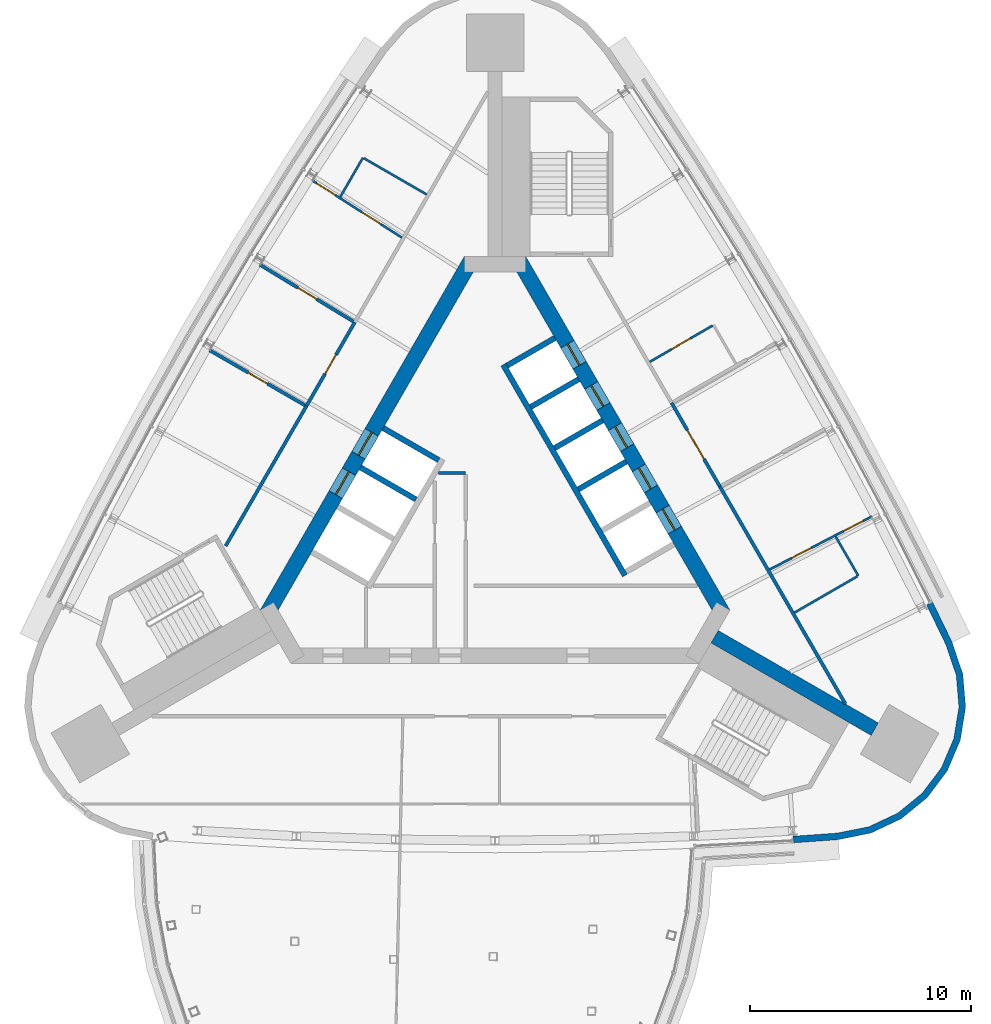
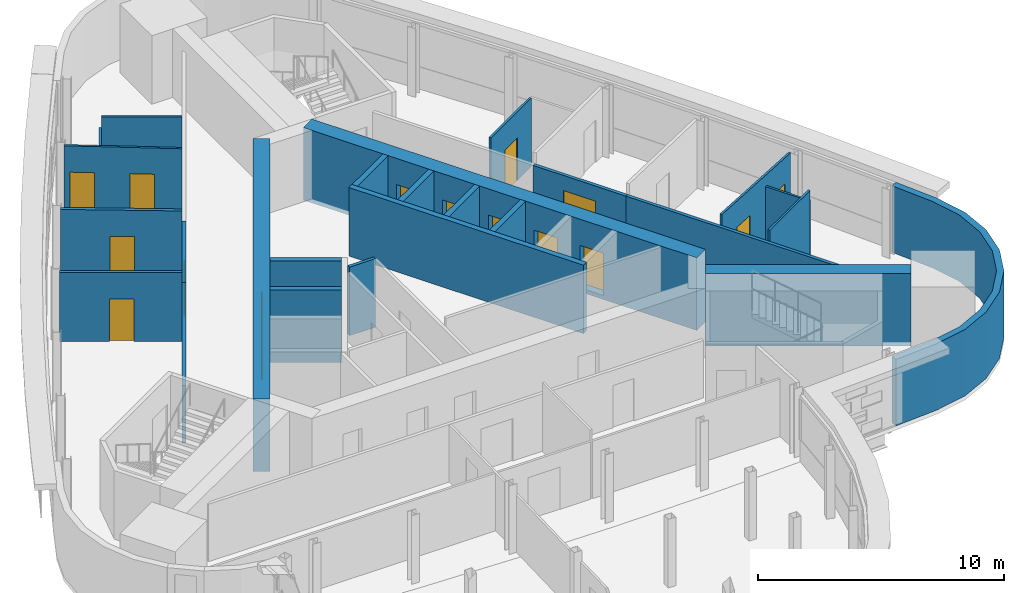
# One storey, part 10 of 14: 25 walls, 16 doors, 16 openings.
"""IFC4 building model written with IfcOpenShell, lengths in metres."""

import ifcopenshell
import ifcopenshell.guid

model = None  # the IFC model being written
_history = None  # IfcOwnerHistory: only IFC2X3 demands one
_inside = {}  # id of a spatial element -> (the spatial element, [elements in it])
_under = {}  # id of a project, library or spatial element -> (it, [spatial elements below it])
_declared = {}  # id of a project -> (the project, [libraries it declares])
_typed = {}  # id of a type object -> (the type object, [elements of that type])
_made_of = {}  # id of a material, layer set ... -> (it, [elements and type objects made of it])


def new_model(schema):
    """Start an empty IFC model of exactly this schema.

    Asked for "IFC4X3", IfcOpenShell would pick the latest addendum, in which some entities
    have other attributes; the version numbers below select the first issue.
    IFC2X3 requires an IfcOwnerHistory on every rooted entity: one is made here for all.
    """
    global model, _history
    if schema == "IFC4X3":
        model = ifcopenshell.file(schema_version=(4, 3, 0, 0))
    else:
        model = ifcopenshell.file(schema=schema)
    _inside.clear()
    _under.clear()
    _declared.clear()
    _typed.clear()
    _made_of.clear()
    _history = None
    if model.schema == "IFC2X3":
        org = make("IfcOrganization", Name="unknown")
        user = make(
            "IfcPersonAndOrganization",
            ThePerson=make("IfcPerson", FamilyName="unknown"),
            TheOrganization=org,
        )
        app = make(
            "IfcApplication",
            ApplicationDeveloper=org,
            Version="unknown",
            ApplicationFullName="unknown",
            ApplicationIdentifier="unknown",
        )
        _history = make(
            "IfcOwnerHistory",
            OwningUser=user,
            OwningApplication=app,
            ChangeAction="ADDED",
            CreationDate=0,
        )
    return model


def make(cls, **values):
    """One entity of the class cls with the attributes given. An attribute that is None is left unset."""
    return model.create_entity(
        cls, **{name: value for name, value in values.items() if value is not None}
    )


def rooted(cls, **values):
    """An entity with a GlobalId (a new one), such as an element, a storey or a relation."""
    return make(cls, GlobalId=ifcopenshell.guid.new(), OwnerHistory=_history, **values)


def si_unit(unit_type, name, prefix=None):
    """IfcSIUnit, for example si_unit("LENGTHUNIT", "METRE", prefix="MILLI")."""
    return make("IfcSIUnit", UnitType=unit_type, Prefix=prefix, Name=name)


def assignment(units):
    """IfcUnitAssignment: the units of a project."""
    return None if units is None else make("IfcUnitAssignment", Units=units)


def point(xyz):
    """IfcCartesianPoint."""
    return None if xyz is None else make("IfcCartesianPoint", Coordinates=xyz)


def direction(xyz):
    """IfcDirection."""
    return None if xyz is None else make("IfcDirection", DirectionRatios=xyz)


def frame(location, z_axis=None, x_axis=None):
    """IfcAxis2Placement3D, a coordinate frame: its origin and axes. An axis left out is left unset."""
    return make(
        "IfcAxis2Placement3D",
        Location=point(location),
        Axis=direction(z_axis),
        RefDirection=direction(x_axis),
    )


def frame_2d(location, x_axis=None):
    """IfcAxis2Placement2D, a coordinate frame in the plane: its origin and x axis."""
    return make(
        "IfcAxis2Placement2D", Location=point(location), RefDirection=direction(x_axis)
    )


def origin():
    """The frame at (0, 0, 0) with its axes left unset."""
    return frame((0.0, 0.0, 0.0))


def place(relative_to, where):
    """IfcLocalPlacement: puts the frame where relative to a parent placement (None: the world)."""
    return make(
        "IfcLocalPlacement", PlacementRelTo=relative_to, RelativePlacement=where
    )


def context(
    kind, dimensions, precision=None, world=None, true_north=None, identifier=None
):
    """IfcGeometricRepresentationContext, for example the 3D "Model" context."""
    return make(
        "IfcGeometricRepresentationContext",
        ContextIdentifier=identifier,
        ContextType=kind,
        CoordinateSpaceDimension=dimensions,
        Precision=precision,
        WorldCoordinateSystem=world,
        TrueNorth=true_north,
    )


def subcontext(parent, identifier, kind, view, scale=None):
    """IfcGeometricRepresentationSubContext, for example "Body" below "Model"."""
    return make(
        "IfcGeometricRepresentationSubContext",
        ContextIdentifier=identifier,
        ContextType=kind,
        ParentContext=parent,
        TargetScale=scale,
        TargetView=view,
    )


def project(units=None, contexts=None):
    """IfcProject with its units and contexts."""
    return rooted(
        "IfcProject",
        Name="project",
        RepresentationContexts=contexts,
        UnitsInContext=assignment(units),
    )


def spatial(cls, under=None, at=None, **own):
    """A site, building, storey or space (cls), placed at a placement, below another one or the project."""
    s = rooted(cls, ObjectPlacement=at, **own)
    if under is not None:
        _under.setdefault(under.id(), (under, []))[1].append(s)
    return s


def polyline(points):
    """IfcPolyline through the points."""
    return make("IfcPolyline", Points=[point(p) for p in points])


def profile(cls, at=None, kind="AREA", **sizes):
    """A parametric profile (cls). Its sizes go by their IFC names, for example OverallWidth=200.0."""
    return make(cls, ProfileType=kind, Position=at, **sizes)


def rectangle(**sizes):
    """IfcRectangleProfileDef."""
    return profile("IfcRectangleProfileDef", **sizes)


def outline(outer, holes=None, kind="AREA"):
    """IfcArbitraryClosedProfileDef: a profile drawn as a closed curve; with holes, ...WithVoids."""
    if holes is None:
        return make("IfcArbitraryClosedProfileDef", ProfileType=kind, OuterCurve=outer)
    return make(
        "IfcArbitraryProfileDefWithVoids",
        ProfileType=kind,
        OuterCurve=outer,
        InnerCurves=holes,
    )


def extrude(swept, where, along, depth):
    """IfcExtrudedAreaSolid: the profile swept, set in the frame where, extruded along a direction by depth."""
    return make(
        "IfcExtrudedAreaSolid",
        SweptArea=swept,
        Position=where,
        ExtrudedDirection=direction(along),
        Depth=depth,
    )


def shape(context_of_items, identifier, shape_type, items):
    """IfcShapeRepresentation: the items that make up one representation, for example the "Body"."""
    return make(
        "IfcShapeRepresentation",
        ContextOfItems=context_of_items,
        RepresentationIdentifier=identifier,
        RepresentationType=shape_type,
        Items=items,
    )


def material(Name=None, Category=None):
    """IfcMaterial."""
    return make("IfcMaterial", Name=Name, Category=Category)


def layer(
    of_material, thickness, ventilated=None, Name=None, Category=None, Priority=None
):
    """IfcMaterialLayer: one layer of a wall or slab, of a material (None: an air gap)."""
    return make(
        "IfcMaterialLayer",
        Material=of_material,
        LayerThickness=thickness,
        IsVentilated=ventilated,
        Name=Name,
        Category=Category,
        Priority=Priority,
    )


def layer_set(layers, Name=None):
    """IfcMaterialLayerSet."""
    return make("IfcMaterialLayerSet", MaterialLayers=layers, LayerSetName=Name)


def made_of(thing, what):
    """Note that an element or type object is made of a material, layer set ...; save() writes the relation."""
    if what is not None:
        _made_of.setdefault(what.id(), (what, []))[1].append(thing)
    return thing


def type_object(cls, material=None, **own):
    """A type object (cls), such as IfcWallType, which elements share."""
    return made_of(rooted(cls, **own), material)


def element(
    cls,
    number,
    at=None,
    inside=None,
    cuts=None,
    type_object=None,
    material=None,
    context=None,
    identifier="Body",
    shape_type=None,
    held_by="IfcProductDefinitionShape",
    body=None,
    shapes=None,
    **own,
):
    """One element of the class cls, such as IfcWall. Its Tag is "e" and its number.

    at: its placement. inside: the storey or other place that contains it. cuts: it is an
    opening in that element (IfcRelVoidsElement). A single representation is given by context,
    identifier, shape_type and body (its items); several are given by shapes. held_by: the class
    of the entity that holds the representations. save() writes the other relations.
    """
    e = rooted(cls, Tag="e%d" % number, ObjectPlacement=at, **own)
    if body is not None:
        shapes = [shape(context, identifier, shape_type, body)]
    if shapes is not None:
        e.Representation = make(held_by, Representations=shapes)
    if inside is not None:
        _inside.setdefault(inside.id(), (inside, []))[1].append(e)
    if cuts is not None:
        rooted(
            "IfcRelVoidsElement", RelatingBuildingElement=cuts, RelatedOpeningElement=e
        )
    if type_object is not None:
        _typed.setdefault(type_object.id(), (type_object, []))[1].append(e)
    return made_of(e, material)


def fill(opening, filler):
    """IfcRelFillsElement: the door or window that sits in an opening."""
    return rooted(
        "IfcRelFillsElement",
        RelatingOpeningElement=opening,
        RelatedBuildingElement=filler,
    )


def aggregate(whole, parts):
    """IfcRelAggregates: a whole, such as a stair, and the parts it consists of."""
    return rooted("IfcRelAggregates", RelatingObject=whole, RelatedObjects=parts)


def save(model, path):
    """Write the relations noted so far, then the file.

    IfcRelAggregates (storeys below a building ...), IfcRelContainedInSpatialStructure (elements
    in a storey), IfcRelDefinesByType, IfcRelAssociatesMaterial and IfcRelDeclares: one each for
    every whole, place, type object, material and project.
    """
    for whole, parts in _under.values():
        aggregate(whole, parts)
    for where, things in _inside.values():
        rooted(
            "IfcRelContainedInSpatialStructure",
            RelatedElements=things,
            RelatingStructure=where,
        )
    for kind, things in _typed.values():
        rooted("IfcRelDefinesByType", RelatedObjects=things, RelatingType=kind)
    for what, things in _made_of.values():
        rooted("IfcRelAssociatesMaterial", RelatedObjects=things, RelatingMaterial=what)
    for by, libraries in _declared.values():
        rooted("IfcRelDeclares", RelatingContext=by, RelatedDefinitions=libraries)
    model.write(path)


model = new_model("IFC4")

# Units and contexts
model_context = context("Model", 3, precision=1e-05, world=origin(), true_north=direction((0.0, 1.0)))
body_context = subcontext(model_context, "Body", "Model", "MODEL_VIEW")
ifc_project = project(units=[si_unit("LENGTHUNIT", "METRE"), si_unit("AREAUNIT", "SQUARE_METRE"), si_unit("VOLUMEUNIT", "CUBIC_METRE"), si_unit("PLANEANGLEUNIT", "RADIAN"), si_unit("MASSUNIT", "GRAM", prefix="KILO")], contexts=[model_context])

# Site, building, storey
site_placement = place(None, origin())
site = spatial("IfcSite", under=ifc_project, at=site_placement, CompositionType="ELEMENT")
building_placement = place(site_placement, origin())
building = spatial("IfcBuilding", under=site, at=building_placement, Name="Noor Cloister Tower", CompositionType="ELEMENT")
storey_placement = place(building_placement, frame((0.0, 0.0, 214.800048828125)))
storey = spatial("IfcBuildingStorey", under=building, at=storey_placement, Name="L55", CompositionType="ELEMENT", Elevation=214.800048828125)

# Walls
ifc_material_1 = material(Name="Concrete C60/75", Category="concrete")
ifc_layer_1 = layer(ifc_material_1, 0.64990234375)
ifc_layer_set_1 = layer_set([ifc_layer_1], Name="Buttress wall 650 C60/75")
wall_type_1 = type_object("IfcWallType", Name="Buttress wall 650 C60/75", PredefinedType="SHEAR", material=ifc_layer_set_1)
wall_1_placement = place(storey_placement, frame((9.921630859375, -5.728271484375, -0.199951171875), z_axis=(0.0, 0.0, 1.0), x_axis=(0.866030911543, -0.499990460161, 0.0)))
element("IfcWall", 1, at=wall_1_placement, inside=storey, type_object=wall_type_1, Name="Buttress wall SE L55", PredefinedType="SHEAR", context=body_context, shape_type="SweptSolid", body=[
    extrude(rectangle(XDim=8.358642578125, YDim=0.64990234375, at=frame_2d((4.17919921875, 0.0))), origin(), (0.0, 0.0, 1.0), 3.599853515625),
])
ifc_material_2 = material(Name="Concrete C30/37", Category="concrete")
ifc_layer_2 = layer(ifc_material_2, 0.14990234375)
ifc_layer_set_2 = layer_set([ifc_layer_2], Name="Core partition 150 C30/37")
wall_type_2 = type_object("IfcWallType", Name="Core partition 150 C30/37", PredefinedType="PARTITIONING", material=ifc_layer_set_2)
wall_2_placement = place(storey_placement, frame((-2.544189453125, 1.671875, 0.0), z_axis=(0.0, 0.0, 1.0), x_axis=(1.0, 0.0, 0.0)))
element("IfcWall", 2, at=wall_2_placement, inside=storey, type_object=wall_type_2, Name="Core room partition L55 4", PredefinedType="PARTITIONING", context=body_context, shape_type="SweptSolid", body=[
    extrude(rectangle(XDim=1.215576171875, YDim=0.14990234375, at=frame_2d((0.60791015625, 0.0))), origin(), (0.0, 0.0, 1.0), 3.39990234375),
])

# Wall, openings, doors
ifc_material_3 = material(Name="Concrete C60/75", Category="concrete")
ifc_layer_3 = layer(ifc_material_3, 0.699951171875)
ifc_layer_set_3 = layer_set([ifc_layer_3], Name="Core wall 700 C60/75")
wall_type_3 = type_object("IfcWallType", Name="Core wall 700 C60/75", PredefinedType="SHEAR", material=ifc_layer_set_3)
wall_3_placement = place(storey_placement, frame((10.311279296875, -4.703125, -0.199951171875), z_axis=(0.0, 0.0, 1.0), x_axis=(-0.500001446645, 0.866024568562, 0.0)))
wall_3 = element("IfcWall", 3, at=wall_3_placement, inside=storey, type_object=wall_type_3, Name="Core wall L55 3", PredefinedType="SHEAR", context=body_context, shape_type="SweptSolid", body=[
    extrude(rectangle(XDim=18.45751953125, YDim=0.699951171875, at=frame_2d((9.228759765625, 0.0))), origin(), (0.0, 0.0, 1.0), 3.599853515625),
])
opening_1_placement = place(wall_3_placement, frame((4.378662109375, 0.0, 0.199951171875)))
opening_1 = element("IfcOpeningElement", 4, at=opening_1_placement, cuts=wall_3, Name="Opening L55-HR1", PredefinedType="OPENING", context=body_context, shape_type="SweptSolid", body=[
    extrude(rectangle(XDim=1.10009765625, YDim=2.10009765625, at=frame_2d((0.550048828125, 1.050048828125))), frame((0.0, 0.35986328125, 0.0), z_axis=(0.0, -1.0, 0.0), x_axis=(1.0, 0.0, 0.0)), (0.0, 0.0, 1.0), 0.719970703125),
])
opening_2_placement = place(wall_3_placement, frame((6.52880859375, 0.0, 0.199951171875)))
opening_2 = element("IfcOpeningElement", 5, at=opening_2_placement, cuts=wall_3, Name="Opening L55-HR2", PredefinedType="OPENING", context=body_context, shape_type="SweptSolid", body=[
    extrude(rectangle(XDim=1.10009765625, YDim=2.10009765625, at=frame_2d((0.550048828125, 1.050048828125))), frame((0.0, 0.35986328125, 0.0), z_axis=(0.0, -1.0, 0.0), x_axis=(1.0, 0.0, 0.0)), (0.0, 0.0, 1.0), 0.719970703125),
])
opening_3_placement = place(wall_3_placement, frame((8.6787109375, 0.0, 0.199951171875)))
opening_3 = element("IfcOpeningElement", 6, at=opening_3_placement, cuts=wall_3, Name="Opening L55-HR3", PredefinedType="OPENING", context=body_context, shape_type="SweptSolid", body=[
    extrude(rectangle(XDim=1.10009765625, YDim=2.10009765625, at=frame_2d((0.550048828125, 1.050048828125))), frame((0.0, 0.35986328125, 0.0), z_axis=(0.0, -1.0, 0.0), x_axis=(1.0, 0.0, 0.0)), (0.0, 0.0, 1.0), 0.719970703125),
])
opening_4_placement = place(wall_3_placement, frame((10.82861328125, 0.0, 0.199951171875)))
opening_4 = element("IfcOpeningElement", 7, at=opening_4_placement, cuts=wall_3, Name="Opening L55-HR4", PredefinedType="OPENING", context=body_context, shape_type="SweptSolid", body=[
    extrude(rectangle(XDim=1.10009765625, YDim=2.10009765625, at=frame_2d((0.550048828125, 1.050048828125))), frame((0.0, 0.35986328125, 0.0), z_axis=(0.0, -1.0, 0.0), x_axis=(1.0, 0.0, 0.0)), (0.0, 0.0, 1.0), 0.719970703125),
])
opening_5_placement = place(wall_3_placement, frame((12.978759765625, 0.0, 0.199951171875)))
opening_5 = element("IfcOpeningElement", 8, at=opening_5_placement, cuts=wall_3, Name="Opening L55-HR5", PredefinedType="OPENING", context=body_context, shape_type="SweptSolid", body=[
    extrude(rectangle(XDim=1.10009765625, YDim=2.10009765625, at=frame_2d((0.550048828125, 1.050048828125))), frame((0.0, 0.35986328125, 0.0), z_axis=(0.0, -1.0, 0.0), x_axis=(1.0, 0.0, 0.0)), (0.0, 0.0, 1.0), 0.719970703125),
])
ifc_material_4 = material(Name="Stainless steel", Category="steel")
door_type_1 = type_object("IfcDoorType", Name="Lift landing door 1100 x 2100", OperationType="DOUBLE_DOOR_SLIDING", PredefinedType="DOOR", material=ifc_material_4)
door_1_placement = place(opening_1_placement, origin())
door_1 = element("IfcDoor", 9, at=door_1_placement, inside=storey, type_object=door_type_1, Name="Landing door HR1 L55", OperationType="DOUBLE_DOOR_SLIDING", OverallHeight=2.10009765625, OverallWidth=1.10009765625, PredefinedType="DOOR", context=body_context, shape_type="SweptSolid", body=[
    extrude(rectangle(XDim=1.10009765625, YDim=2.10009765625, at=frame_2d((0.550048828125, 1.050048828125))), frame((0.0, 0.02490234375, 0.0), z_axis=(0.0, -1.0, 0.0), x_axis=(1.0, 0.0, 0.0)), (0.0, 0.0, 1.0), 0.050048828125),
])
fill(opening_1, door_1)
door_2_placement = place(opening_2_placement, origin())
door_2 = element("IfcDoor", 10, at=door_2_placement, inside=storey, type_object=door_type_1, Name="Landing door HR2 L55", OperationType="DOUBLE_DOOR_SLIDING", OverallHeight=2.10009765625, OverallWidth=1.10009765625, PredefinedType="DOOR", context=body_context, shape_type="SweptSolid", body=[
    extrude(rectangle(XDim=1.10009765625, YDim=2.10009765625, at=frame_2d((0.550048828125, 1.050048828125))), frame((0.0, 0.02490234375, 0.0), z_axis=(0.0, -1.0, 0.0), x_axis=(1.0, 0.0, 0.0)), (0.0, 0.0, 1.0), 0.050048828125),
])
fill(opening_2, door_2)
door_3_placement = place(opening_3_placement, origin())
door_3 = element("IfcDoor", 11, at=door_3_placement, inside=storey, type_object=door_type_1, Name="Landing door HR3 L55", OperationType="DOUBLE_DOOR_SLIDING", OverallHeight=2.10009765625, OverallWidth=1.10009765625, PredefinedType="DOOR", context=body_context, shape_type="SweptSolid", body=[
    extrude(rectangle(XDim=1.10009765625, YDim=2.10009765625, at=frame_2d((0.550048828125, 1.050048828125))), frame((0.0, 0.02490234375, 0.0), z_axis=(0.0, -1.0, 0.0), x_axis=(1.0, 0.0, 0.0)), (0.0, 0.0, 1.0), 0.050048828125),
])
fill(opening_3, door_3)
door_4_placement = place(opening_4_placement, origin())
door_4 = element("IfcDoor", 12, at=door_4_placement, inside=storey, type_object=door_type_1, Name="Landing door HR4 L55", OperationType="DOUBLE_DOOR_SLIDING", OverallHeight=2.10009765625, OverallWidth=1.10009765625, PredefinedType="DOOR", context=body_context, shape_type="SweptSolid", body=[
    extrude(rectangle(XDim=1.10009765625, YDim=2.10009765625, at=frame_2d((0.550048828125, 1.050048828125))), frame((0.0, 0.02490234375, 0.0), z_axis=(0.0, -1.0, 0.0), x_axis=(1.0, 0.0, 0.0)), (0.0, 0.0, 1.0), 0.050048828125),
])
fill(opening_4, door_4)
door_5_placement = place(opening_5_placement, origin())
door_5 = element("IfcDoor", 13, at=door_5_placement, inside=storey, type_object=door_type_1, Name="Landing door HR5 L55", OperationType="DOUBLE_DOOR_SLIDING", OverallHeight=2.10009765625, OverallWidth=1.10009765625, PredefinedType="DOOR", context=body_context, shape_type="SweptSolid", body=[
    extrude(rectangle(XDim=1.10009765625, YDim=2.10009765625, at=frame_2d((0.550048828125, 1.050048828125))), frame((0.0, 0.02490234375, 0.0), z_axis=(0.0, -1.0, 0.0), x_axis=(1.0, 0.0, 0.0)), (0.0, 0.0, 1.0), 0.050048828125),
])
fill(opening_5, door_5)

wall_4_placement = place(storey_placement, frame((-1.08251953125, 11.281494140625, -0.199951171875), z_axis=(0.0, 0.0, 1.0), x_axis=(-0.500001446645, -0.866024568562, 0.0)))
wall_4 = element("IfcWall", 14, at=wall_4_placement, inside=storey, type_object=wall_type_3, Name="Core wall L55 5", PredefinedType="SHEAR", context=body_context, shape_type="SweptSolid", body=[
    extrude(rectangle(XDim=18.45751953125, YDim=0.699951171875, at=frame_2d((9.228759765625, 0.0))), origin(), (0.0, 0.0, 1.0), 3.599853515625),
])
opening_6_placement = place(wall_4_placement, frame((8.978759765625, 0.0, 0.199951171875)))
opening_6 = element("IfcOpeningElement", 15, at=opening_6_placement, cuts=wall_4, Name="Opening L55-FF1", PredefinedType="OPENING", context=body_context, shape_type="SweptSolid", body=[
    extrude(rectangle(XDim=1.199951171875, YDim=2.10009765625, at=frame_2d((0.60009765625, 1.050048828125))), frame((0.0, 0.35986328125, 0.0), z_axis=(0.0, -1.0, 0.0), x_axis=(1.0, 0.0, 0.0)), (0.0, 0.0, 1.0), 0.719970703125),
])
opening_7_placement = place(wall_4_placement, frame((11.02880859375, 0.0, 0.199951171875)))
opening_7 = element("IfcOpeningElement", 16, at=opening_7_placement, cuts=wall_4, Name="Opening L55-FF2", PredefinedType="OPENING", context=body_context, shape_type="SweptSolid", body=[
    extrude(rectangle(XDim=1.199951171875, YDim=2.10009765625, at=frame_2d((0.60009765625, 1.050048828125))), frame((0.0, 0.35986328125, 0.0), z_axis=(0.0, -1.0, 0.0), x_axis=(1.0, 0.0, 0.0)), (0.0, 0.0, 1.0), 0.719970703125),
])
ifc_material_5 = material(Name="Stainless steel", Category="steel")
door_type_2 = type_object("IfcDoorType", Name="Lift landing door 1200 x 2100", OperationType="DOUBLE_DOOR_SLIDING", PredefinedType="DOOR", material=ifc_material_5)
door_6_placement = place(opening_6_placement, origin())
door_6 = element("IfcDoor", 17, at=door_6_placement, inside=storey, type_object=door_type_2, Name="Landing door FF1 L55", OperationType="DOUBLE_DOOR_SLIDING", OverallHeight=2.10009765625, OverallWidth=1.199951171875, PredefinedType="DOOR", context=body_context, shape_type="SweptSolid", body=[
    extrude(rectangle(XDim=1.199951171875, YDim=2.10009765625, at=frame_2d((0.60009765625, 1.050048828125))), frame((0.0, 0.02490234375, 0.0), z_axis=(0.0, -1.0, 0.0), x_axis=(1.0, 0.0, 0.0)), (0.0, 0.0, 1.0), 0.050048828125),
])
fill(opening_6, door_6)
door_7_placement = place(opening_7_placement, origin())
door_7 = element("IfcDoor", 18, at=door_7_placement, inside=storey, type_object=door_type_2, Name="Landing door FF2 L55", OperationType="DOUBLE_DOOR_SLIDING", OverallHeight=2.10009765625, OverallWidth=1.199951171875, PredefinedType="DOOR", context=body_context, shape_type="SweptSolid", body=[
    extrude(rectangle(XDim=1.199951171875, YDim=2.10009765625, at=frame_2d((0.60009765625, 1.050048828125))), frame((0.0, 0.02490234375, 0.0), z_axis=(0.0, -1.0, 0.0), x_axis=(1.0, 0.0, 0.0)), (0.0, 0.0, 1.0), 0.050048828125),
])
fill(opening_7, door_7)

# Wall
ifc_material_6 = material(Name="Fire-rated gypsum board partition on steel studs, 150 mm", Category="steel")
ifc_layer_4 = layer(ifc_material_6, 0.14990234375)
ifc_layer_set_4 = layer_set([ifc_layer_4], Name="Fire lobby wall 150")
wall_type_4 = type_object("IfcWallType", Name="Fire lobby wall 150", PredefinedType="PARTITIONING", material=ifc_layer_set_4)
wall_5_placement = place(storey_placement, frame((-8.52490234375, 4.69091796875, 0.0), z_axis=(0.0, 0.0, 1.0), x_axis=(-0.499986021771, -0.866033473968, 0.0)))
element("IfcWall", 19, at=wall_5_placement, inside=storey, type_object=wall_type_4, Name="Wall L55-W19", PredefinedType="PARTITIONING", context=body_context, shape_type="SweptSolid", body=[
    extrude(rectangle(XDim=7.296630859375, YDim=0.14990234375, at=frame_2d((3.6484375, 0.0))), origin(), (0.0, 0.0, 1.0), 2.85205078125),
])

# Wall, opening, door
wall_6_placement = place(storey_placement, frame((-6.33837890625, 8.47802734375, 0.0), z_axis=(0.0, 0.0, 1.0), x_axis=(-0.500005971936, -0.866021955858, 0.0)))
wall_6 = element("IfcWall", 20, at=wall_6_placement, inside=storey, type_object=wall_type_4, Name="Wall L55-W22", PredefinedType="PARTITIONING", context=body_context, shape_type="SweptSolid", body=[
    extrude(rectangle(XDim=4.373046875, YDim=0.14990234375, at=frame_2d((2.1865234375, 0.0))), origin(), (0.0, 0.0, 1.0), 2.85205078125),
])
opening_8_placement = place(wall_6_placement, frame((1.6865234375, 0.0, 0.0)))
opening_8 = element("IfcOpeningElement", 21, at=opening_8_placement, cuts=wall_6, Name="Opening L55-013", PredefinedType="OPENING", context=body_context, shape_type="SweptSolid", body=[
    extrude(rectangle(XDim=1.0, YDim=2.10009765625, at=frame_2d((0.5, 1.050048828125))), frame((0.0, 0.0849609375, 0.0), z_axis=(0.0, -1.0, 0.0), x_axis=(1.0, 0.0, 0.0)), (0.0, 0.0, 1.0), 0.169921875),
])
ifc_material_7 = material(Name="Timber door leaf with steel frame", Category="steel")
door_type_3 = type_object("IfcDoorType", Name="Fire lobby door 1000", OperationType="NOTDEFINED", PredefinedType="DOOR", material=ifc_material_7)
door_8_placement = place(opening_8_placement, origin())
door_8 = element("IfcDoor", 22, at=door_8_placement, inside=storey, type_object=door_type_3, Name="Door L55-013", OperationType="SINGLE_SWING_LEFT", OverallHeight=2.10009765625, OverallWidth=1.0, PredefinedType="DOOR", context=body_context, shape_type="SweptSolid", body=[
    extrude(rectangle(XDim=1.0, YDim=2.10009765625, at=frame_2d((0.5, 1.050048828125))), frame((0.0, 0.02490234375, 0.0), z_axis=(0.0, -1.0, 0.0), x_axis=(1.0, 0.0, 0.0)), (0.0, 0.0, 1.0), 0.050048828125),
])
fill(opening_8, door_8)

# Wall
ifc_material_8 = material(Name="Gypsum board partition on steel studs, 150 mm", Category="steel")
ifc_layer_5 = layer(ifc_material_8, 0.14990234375)
ifc_layer_set_5 = layer_set([ifc_layer_5], Name="Flat wall 150")
wall_type_5 = type_object("IfcWallType", Name="Flat wall 150", PredefinedType="PARTITIONING", material=ifc_layer_set_5)
wall_7_placement = place(storey_placement, frame((15.83203125, -8.765380859375, 0.0), z_axis=(0.0, 0.0, 1.0), x_axis=(-0.500005035328, 0.866022496617, 0.0)))
element("IfcWall", 23, at=wall_7_placement, inside=storey, type_object=wall_type_5, Name="Wall L55-W01", PredefinedType="PARTITIONING", context=body_context, shape_type="SweptSolid", body=[
    extrude(rectangle(XDim=11.3427734375, YDim=0.14990234375, at=frame_2d((5.67138671875, 0.0))), origin(), (0.0, 0.0, 1.0), 2.85205078125),
])

# Wall, opening, door
wall_8_placement = place(storey_placement, frame((10.16064453125, 1.0576171875, 0.0), z_axis=(0.0, 0.0, 1.0), x_axis=(-0.499977476193, 0.86603840752, 0.0)))
wall_8 = element("IfcWall", 24, at=wall_8_placement, inside=storey, type_object=wall_type_5, Name="Wall L55-W05", PredefinedType="PARTITIONING", context=body_context, shape_type="SweptSolid", body=[
    extrude(rectangle(XDim=4.364501953125, YDim=0.14990234375, at=frame_2d((2.18212890625, 0.0))), origin(), (0.0, 0.0, 1.0), 2.85205078125),
])
opening_9_placement = place(wall_8_placement, frame((1.43212890625, 0.0, 0.0)))
opening_9 = element("IfcOpeningElement", 25, at=opening_9_placement, cuts=wall_8, Name="Opening L55-001", PredefinedType="OPENING", context=body_context, shape_type="SweptSolid", body=[
    extrude(rectangle(XDim=1.5, YDim=2.10009765625, at=frame_2d((0.75, 1.050048828125))), frame((0.0, 0.0849609375, 0.0), z_axis=(0.0, -1.0, 0.0), x_axis=(1.0, 0.0, 0.0)), (0.0, 0.0, 1.0), 0.169921875),
])
ifc_material_9 = material(Name="Timber door leaf with steel frame", Category="steel")
door_type_4 = type_object("IfcDoorType", Name="Double door 1500 FD60", OperationType="NOTDEFINED", PredefinedType="DOOR", material=ifc_material_9)
door_9_placement = place(opening_9_placement, origin())
door_9 = element("IfcDoor", 26, at=door_9_placement, inside=storey, type_object=door_type_4, Name="Door L55-001", OperationType="DOUBLE_DOOR_SINGLE_SWING", OverallHeight=2.10009765625, OverallWidth=1.5, PredefinedType="DOOR", context=body_context, shape_type="SweptSolid", body=[
    extrude(rectangle(XDim=1.5, YDim=2.10009765625, at=frame_2d((0.75, 1.050048828125))), frame((0.0, 0.02490234375, 0.0), z_axis=(0.0, -1.0, 0.0), x_axis=(1.0, 0.0, 0.0)), (0.0, 0.0, 1.0), 0.050048828125),
])
fill(opening_9, door_9)

wall_9_placement = place(storey_placement, frame((-10.625732421875, 11.081787109375, 0.0), z_axis=(0.0, 0.0, 1.0), x_axis=(0.854742891139, -0.519051625609, 0.0)))
wall_9 = element("IfcWall", 27, at=wall_9_placement, inside=storey, type_object=wall_type_5, Name="Wall L55-W20", PredefinedType="PARTITIONING", context=body_context, shape_type="SweptSolid", body=[
    extrude(rectangle(XDim=4.941162109375, YDim=0.14990234375, at=frame_2d((2.470703125, 0.0))), origin(), (0.0, 0.0, 1.0), 3.39990234375),
])
opening_10_placement = place(wall_9_placement, frame((2.008056640625, 0.0, 0.0)))
opening_10 = element("IfcOpeningElement", 28, at=opening_10_placement, cuts=wall_9, Name="Opening L55-016", PredefinedType="OPENING", context=body_context, shape_type="SweptSolid", body=[
    extrude(rectangle(XDim=1.0, YDim=2.10009765625, at=frame_2d((0.5, 1.050048828125))), frame((0.0, 0.0849609375, 0.0), z_axis=(0.0, -1.0, 0.0), x_axis=(1.0, 0.0, 0.0)), (0.0, 0.0, 1.0), 0.169921875),
])
ifc_material_10 = material(Name="Timber door leaf with steel frame", Category="steel")
door_type_5 = type_object("IfcDoorType", Name="Flat entrance door 1000", OperationType="NOTDEFINED", PredefinedType="DOOR", material=ifc_material_10)
door_10_placement = place(opening_10_placement, origin())
door_10 = element("IfcDoor", 29, at=door_10_placement, inside=storey, type_object=door_type_5, Name="Door L55-016", OperationType="SINGLE_SWING_RIGHT", OverallHeight=2.10009765625, OverallWidth=1.0, PredefinedType="DOOR", context=body_context, shape_type="SweptSolid", body=[
    extrude(rectangle(XDim=1.0, YDim=2.10009765625, at=frame_2d((0.5, 1.050048828125))), frame((0.0, 0.02490234375, 0.0), z_axis=(0.0, -1.0, 0.0), x_axis=(1.0, 0.0, 0.0)), (0.0, 0.0, 1.0), 0.050048828125),
])
fill(opening_10, door_10)

wall_10_placement = place(storey_placement, frame((-12.906982421875, 7.220947265625, 0.0), z_axis=(0.0, 0.0, 1.0), x_axis=(0.866031443676, -0.499989538455, 0.0)))
wall_10 = element("IfcWall", 30, at=wall_10_placement, inside=storey, type_object=wall_type_5, Name="Wall L55-W21", PredefinedType="PARTITIONING", context=body_context, shape_type="SweptSolid", body=[
    extrude(rectangle(XDim=4.98486328125, YDim=0.14990234375, at=frame_2d((2.492431640625, 0.0))), origin(), (0.0, 0.0, 1.0), 3.39990234375),
])
opening_11_placement = place(wall_10_placement, frame((2.030029296875, 0.0, 0.0)))
opening_11 = element("IfcOpeningElement", 31, at=opening_11_placement, cuts=wall_10, Name="Opening L55-017", PredefinedType="OPENING", context=body_context, shape_type="SweptSolid", body=[
    extrude(rectangle(XDim=1.0, YDim=2.10009765625, at=frame_2d((0.5, 1.050048828125))), frame((0.0, 0.0849609375, 0.0), z_axis=(0.0, -1.0, 0.0), x_axis=(1.0, 0.0, 0.0)), (0.0, 0.0, 1.0), 0.169921875),
])
ifc_material_11 = material(Name="Timber door leaf with steel frame", Category="steel")
door_type_6 = type_object("IfcDoorType", Name="Interior door 1000 FD60", OperationType="NOTDEFINED", PredefinedType="DOOR", material=ifc_material_11)
door_11_placement = place(opening_11_placement, origin())
door_11 = element("IfcDoor", 32, at=door_11_placement, inside=storey, type_object=door_type_6, Name="Door L55-017", OperationType="SINGLE_SWING_LEFT", OverallHeight=2.10009765625, OverallWidth=1.0, PredefinedType="DOOR", context=body_context, shape_type="SweptSolid", body=[
    extrude(rectangle(XDim=1.0, YDim=2.10009765625, at=frame_2d((0.5, 1.050048828125))), frame((0.0, 0.02490234375, 0.0), z_axis=(0.0, -1.0, 0.0), x_axis=(1.0, 0.0, 0.0)), (0.0, 0.0, 1.0), 0.050048828125),
])
fill(opening_11, door_11)

# Wall
ifc_material_12 = material(Name="Limestone", Category="masonry")
ifc_layer_6 = layer(ifc_material_12, 0.300048828125)
ifc_layer_set_6 = layer_set([ifc_layer_6], Name="Limestone cladding 300")
wall_type_6 = type_object("IfcWallType", Name="Limestone cladding 300", PredefinedType="NOTDEFINED", material=ifc_layer_set_6)
wall_11_placement = place(storey_placement, origin())
element("IfcWall", 33, at=wall_11_placement, inside=storey, type_object=wall_type_6, Name="Limestone pier cladding L55 2.1", PredefinedType="NOTDEFINED", context=body_context, shape_type="SweptSolid", body=[
    extrude(outline(polyline([(13.489990234375, -15.04248046875), (15.50732421875, -14.898193359375), (16.988037109375, -14.6015625), (18.354248046875, -13.957763671875), (19.52587890625, -13.00439453125), (20.433837890625, -11.79736328125), (21.02490234375, -10.40771484375), (21.264892578125, -8.91650390625), (21.139404296875, -7.411376953125), (20.65576171875, -5.98046875), (19.772216796875, -4.16162109375), (19.50244140625, -4.292724609375), (20.377685546875, -6.094482421875), (20.843505859375, -7.47265625), (20.962890625, -8.905029296875), (20.734619140625, -10.323974609375), (20.171875, -11.646240234375), (19.30810546875, -12.794677734375), (18.193359375, -13.701904296875), (16.893310546875, -14.314697265625), (15.467041015625, -14.600341796875), (13.46875, -14.7431640625), (13.489990234375, -15.04248046875)])), origin(), (0.0, 0.0, 1.0), 3.300048828125),
])

# Wall, openings, doors
ifc_material_13 = material(Name="Gypsum board partition on steel studs, 100 mm", Category="steel")
ifc_layer_7 = layer(ifc_material_13, 0.10009765625)
ifc_layer_set_7 = layer_set([ifc_layer_7], Name="Partition 100")
wall_type_7 = type_object("IfcWallType", Name="Partition 100", PredefinedType="PARTITIONING", material=ifc_layer_set_7)
wall_12_placement = place(storey_placement, frame((17.02587890625, -0.29248046875, 0.0), z_axis=(0.0, 0.0, 1.0), x_axis=(-0.887303639302, -0.461185701947, 0.0)))
wall_12 = element("IfcWall", 34, at=wall_12_placement, inside=storey, type_object=wall_type_7, Name="Wall L55-W06", PredefinedType="PARTITIONING", context=body_context, shape_type="SweptSolid", body=[
    extrude(rectangle(XDim=5.20068359375, YDim=0.10009765625, at=frame_2d((2.600341796875, 0.0))), origin(), (0.0, 0.0, 1.0), 3.39990234375),
])
opening_12_placement = place(wall_12_placement, frame((0.43603515625, 0.0, 0.0)))
opening_12 = element("IfcOpeningElement", 35, at=opening_12_placement, cuts=wall_12, Name="Opening L55-002", PredefinedType="OPENING", context=body_context, shape_type="SweptSolid", body=[
    extrude(rectangle(XDim=1.0, YDim=2.10009765625, at=frame_2d((0.5, 1.050048828125))), frame((0.0, 0.06005859375, 0.0), z_axis=(0.0, -1.0, 0.0), x_axis=(1.0, 0.0, 0.0)), (0.0, 0.0, 1.0), 0.1201171875),
])
opening_13_placement = place(wall_12_placement, frame((3.073974609375, 0.0, 0.0)))
opening_13 = element("IfcOpeningElement", 36, at=opening_13_placement, cuts=wall_12, Name="Opening L55-003", PredefinedType="OPENING", context=body_context, shape_type="SweptSolid", body=[
    extrude(rectangle(XDim=1.0, YDim=2.10009765625, at=frame_2d((0.5, 1.050048828125))), frame((0.0, 0.06005859375, 0.0), z_axis=(0.0, -1.0, 0.0), x_axis=(1.0, 0.0, 0.0)), (0.0, 0.0, 1.0), 0.1201171875),
])
ifc_material_14 = material(Name="Timber door leaf with steel frame", Category="steel")
door_type_7 = type_object("IfcDoorType", Name="Interior door 1000", OperationType="NOTDEFINED", PredefinedType="DOOR", material=ifc_material_14)
door_12_placement = place(opening_12_placement, origin())
door_12 = element("IfcDoor", 37, at=door_12_placement, inside=storey, type_object=door_type_7, Name="Door L55-002", OperationType="SINGLE_SWING_RIGHT", OverallHeight=2.10009765625, OverallWidth=1.0, PredefinedType="DOOR", context=body_context, shape_type="SweptSolid", body=[
    extrude(rectangle(XDim=1.0, YDim=2.10009765625, at=frame_2d((0.5, 1.050048828125))), frame((0.0, 0.02490234375, 0.0), z_axis=(0.0, -1.0, 0.0), x_axis=(1.0, 0.0, 0.0)), (0.0, 0.0, 1.0), 0.050048828125),
])
fill(opening_12, door_12)
door_13_placement = place(opening_13_placement, origin())
door_13 = element("IfcDoor", 38, at=door_13_placement, inside=storey, type_object=door_type_7, Name="Door L55-003", OperationType="SINGLE_SWING_LEFT", OverallHeight=2.10009765625, OverallWidth=1.0, PredefinedType="DOOR", context=body_context, shape_type="SweptSolid", body=[
    extrude(rectangle(XDim=1.0, YDim=2.10009765625, at=frame_2d((0.5, 1.050048828125))), frame((0.0, 0.02490234375, 0.0), z_axis=(0.0, -1.0, 0.0), x_axis=(1.0, 0.0, 0.0)), (0.0, 0.0, 1.0), 0.050048828125),
])
fill(opening_13, door_13)

# Walls
wall_13_placement = place(storey_placement, frame((15.3896484375, -1.19921875, 0.0), z_axis=(0.0, 0.0, 1.0), x_axis=(0.499956128963, -0.866050731258, 0.0)))
element("IfcWall", 39, at=wall_13_placement, inside=storey, type_object=wall_type_7, Name="Wall L55-W07", PredefinedType="PARTITIONING", context=body_context, shape_type="SweptSolid", body=[
    extrude(rectangle(XDim=2.050048828125, YDim=0.10009765625, at=frame_2d((1.02490234375, 0.0))), origin(), (0.0, 0.0, 1.0), 2.85205078125),
])
wall_14_placement = place(storey_placement, frame((16.371337890625, -2.99951171875, 0.0), z_axis=(0.0, 0.0, 1.0), x_axis=(-0.866027924134, -0.499995634601, 0.0)))
element("IfcWall", 40, at=wall_14_placement, inside=storey, type_object=wall_type_7, Name="Wall L55-W08", PredefinedType="PARTITIONING", context=body_context, shape_type="SweptSolid", body=[
    extrude(rectangle(XDim=3.27490234375, YDim=0.10009765625, at=frame_2d((1.637451171875, 0.0))), origin(), (0.0, 0.0, 1.0), 3.39990234375),
])

# Wall, opening, door
wall_15_placement = place(storey_placement, frame((9.82958984375, 8.3310546875, 0.0), z_axis=(0.0, 0.0, 1.0), x_axis=(-0.865995643347, -0.500051543047, 0.0)))
wall_15 = element("IfcWall", 41, at=wall_15_placement, inside=storey, type_object=wall_type_7, Name="Wall L55-W10", PredefinedType="PARTITIONING", context=body_context, shape_type="SweptSolid", body=[
    extrude(rectangle(XDim=3.275146484375, YDim=0.10009765625, at=frame_2d((1.6376953125, 0.0))), origin(), (0.0, 0.0, 1.0), 3.39990234375),
])
opening_14_placement = place(wall_15_placement, frame((1.14990234375, 0.0, 0.0)))
opening_14 = element("IfcOpeningElement", 42, at=opening_14_placement, cuts=wall_15, Name="Opening L55-005", PredefinedType="OPENING", context=body_context, shape_type="SweptSolid", body=[
    extrude(rectangle(XDim=1.0, YDim=2.10009765625, at=frame_2d((0.5, 1.050048828125))), frame((0.0, 0.06005859375, 0.0), z_axis=(0.0, -1.0, 0.0), x_axis=(1.0, 0.0, 0.0)), (0.0, 0.0, 1.0), 0.1201171875),
])
door_14_placement = place(opening_14_placement, origin())
door_14 = element("IfcDoor", 43, at=door_14_placement, inside=storey, type_object=door_type_7, Name="Door L55-005", OperationType="SINGLE_SWING_LEFT", OverallHeight=2.10009765625, OverallWidth=1.0, PredefinedType="DOOR", context=body_context, shape_type="SweptSolid", body=[
    extrude(rectangle(XDim=1.0, YDim=2.10009765625, at=frame_2d((0.5, 1.050048828125))), frame((0.0, 0.02490234375, 0.0), z_axis=(0.0, -1.0, 0.0), x_axis=(1.0, 0.0, 0.0)), (0.0, 0.0, 1.0), 0.050048828125),
])
fill(opening_14, door_14)

# Wall, openings, doors
wall_16_placement = place(storey_placement, frame((-8.259765625, 14.89111328125, 0.0), z_axis=(0.0, 0.0, 1.0), x_axis=(0.843047331612, -0.537839378125, 0.0)))
wall_16 = element("IfcWall", 44, at=wall_16_placement, inside=storey, type_object=wall_type_7, Name="Wall L55-W23", PredefinedType="PARTITIONING", context=body_context, shape_type="SweptSolid", body=[
    extrude(rectangle(XDim=4.80029296875, YDim=0.10009765625, at=frame_2d((2.400146484375, 0.0))), origin(), (0.0, 0.0, 1.0), 3.39990234375),
])
opening_15_placement = place(wall_16_placement, frame((0.23583984375, 0.0, 0.0)))
opening_15 = element("IfcOpeningElement", 45, at=opening_15_placement, cuts=wall_16, Name="Opening L55-014", PredefinedType="OPENING", context=body_context, shape_type="SweptSolid", body=[
    extrude(rectangle(XDim=1.0, YDim=2.10009765625, at=frame_2d((0.5, 1.050048828125))), frame((0.0, 0.06005859375, 0.0), z_axis=(0.0, -1.0, 0.0), x_axis=(1.0, 0.0, 0.0)), (0.0, 0.0, 1.0), 0.1201171875),
])
opening_16_placement = place(wall_16_placement, frame((2.673583984375, 0.0, 0.0)))
opening_16 = element("IfcOpeningElement", 46, at=opening_16_placement, cuts=wall_16, Name="Opening L55-015", PredefinedType="OPENING", context=body_context, shape_type="SweptSolid", body=[
    extrude(rectangle(XDim=1.0, YDim=2.10009765625, at=frame_2d((0.5, 1.050048828125))), frame((0.0, 0.06005859375, 0.0), z_axis=(0.0, -1.0, 0.0), x_axis=(1.0, 0.0, 0.0)), (0.0, 0.0, 1.0), 0.1201171875),
])
door_15_placement = place(opening_15_placement, origin())
door_15 = element("IfcDoor", 47, at=door_15_placement, inside=storey, type_object=door_type_7, Name="Door L55-014", OperationType="SINGLE_SWING_RIGHT", OverallHeight=2.10009765625, OverallWidth=1.0, PredefinedType="DOOR", context=body_context, shape_type="SweptSolid", body=[
    extrude(rectangle(XDim=1.0, YDim=2.10009765625, at=frame_2d((0.5, 1.050048828125))), frame((0.0, 0.02490234375, 0.0), z_axis=(0.0, -1.0, 0.0), x_axis=(1.0, 0.0, 0.0)), (0.0, 0.0, 1.0), 0.050048828125),
])
fill(opening_15, door_15)
door_16_placement = place(opening_16_placement, origin())
door_16 = element("IfcDoor", 48, at=door_16_placement, inside=storey, type_object=door_type_7, Name="Door L55-015", OperationType="SINGLE_SWING_LEFT", OverallHeight=2.10009765625, OverallWidth=1.0, PredefinedType="DOOR", context=body_context, shape_type="SweptSolid", body=[
    extrude(rectangle(XDim=1.0, YDim=2.10009765625, at=frame_2d((0.5, 1.050048828125))), frame((0.0, 0.02490234375, 0.0), z_axis=(0.0, -1.0, 0.0), x_axis=(1.0, 0.0, 0.0)), (0.0, 0.0, 1.0), 0.050048828125),
])
fill(opening_16, door_16)

# Walls
wall_17_placement = place(storey_placement, frame((-6.993896484375, 14.142822265625, 0.0), z_axis=(0.0, 0.0, 1.0), x_axis=(0.500097020274, 0.865969381856, 0.0)))
element("IfcWall", 49, at=wall_17_placement, inside=storey, type_object=wall_type_7, Name="Wall L55-W24", PredefinedType="PARTITIONING", context=body_context, shape_type="SweptSolid", body=[
    extrude(rectangle(XDim=2.0498046875, YDim=0.10009765625, at=frame_2d((1.02490234375, 0.0))), origin(), (0.0, 0.0, 1.0), 2.85205078125),
])
wall_18_placement = place(storey_placement, frame((-5.925537109375, 15.89306640625, 0.0), z_axis=(0.0, 0.0, 1.0), x_axis=(0.866027924134, -0.499995634601, 0.0)))
element("IfcWall", 50, at=wall_18_placement, inside=storey, type_object=wall_type_7, Name="Wall L55-W25", PredefinedType="PARTITIONING", context=body_context, shape_type="SweptSolid", body=[
    extrude(rectangle(XDim=3.27490234375, YDim=0.10009765625, at=frame_2d((1.637451171875, 0.0))), origin(), (0.0, 0.0, 1.0), 3.39990234375),
])
ifc_material_15 = material(Name="Concrete C60/75", Category="concrete")
ifc_layer_8 = layer(ifc_material_15, 0.25)
ifc_layer_set_8 = layer_set([ifc_layer_8], Name="Shaft wall 250 C60/75")
wall_type_8 = type_object("IfcWallType", Name="Shaft wall 250 C60/75", PredefinedType="PARTITIONING", material=ifc_layer_set_8)
wall_19_placement = place(storey_placement, frame((5.931396484375, 2.18310546875, -0.199951171875), z_axis=(0.0, 0.0, 1.0), x_axis=(-0.866047370643, -0.499961950354, 0.0)))
element("IfcWall", 51, at=wall_19_placement, inside=storey, type_object=wall_type_8, Name="Lift shaft wall L55 NE 3", PredefinedType="PARTITIONING", context=body_context, shape_type="SweptSolid", body=[
    extrude(rectangle(XDim=2.500244140625, YDim=0.25, at=frame_2d((1.25, 0.0))), origin(), (0.0, 0.0, 1.0), 3.599853515625),
])
for number, where, z_axis, x_axis, name in (
    (52, (4.856201171875, 4.045166015625, -0.199951171875), (0.0, 0.0, 1.0), (-0.866022959057, -0.500004234368, 0.0), "Lift shaft wall L55 NE 4"),
    (53, (3.78125, 5.906982421875, -0.199951171875), (0.0, 0.0, 1.0), (-0.866022959057, -0.500004234368, 0.0), "Lift shaft wall L55 NE 5"),
    (54, (2.706298828125, 7.76904296875, -0.199951171875), (0.0, 0.0, 1.0), (-0.866022959057, -0.500004234368, 0.0), "Lift shaft wall L55 NE 6"),
):
    element("IfcWall", number, at=place(storey_placement, frame(where, z_axis=z_axis, x_axis=x_axis)), inside=storey, type_object=wall_type_8, Name=name, PredefinedType="PARTITIONING", context=body_context, shape_type="SweptSolid", body=[
        extrude(rectangle(XDim=2.5, YDim=0.25, at=frame_2d((1.25, 0.0))), origin(), (0.0, 0.0, 1.0), 3.599853515625),
    ])
wall_20_placement = place(storey_placement, frame((5.870361328125, -2.96142578125, 0.0), z_axis=(0.0, 0.0, 1.0), x_axis=(-0.50000615651, 0.866021849293, 0.0)))
element("IfcWall", 55, at=wall_20_placement, inside=storey, type_object=wall_type_8, Name="Lift shaft back wall L55 NE", PredefinedType="PARTITIONING", context=body_context, shape_type="SweptSolid", body=[
    extrude(rectangle(XDim=10.999755859375, YDim=0.25, at=frame_2d((5.5, 0.0))), origin(), (0.0, 0.0, 1.0), 3.39990234375),
])
for number, where, z_axis, x_axis, name in (
    (56, (-5.056396484375, 3.69873046875, -0.199951171875), (0.0, 0.0, 1.0), (0.866032775405, -0.499987231761, 0.0), "Lift shaft wall L55 NW 3"),
    (57, (-6.081298828125, 1.92333984375, -0.199951171875), (0.0, 0.0, 1.0), (0.866032775405, -0.499987231761, 0.0), "Lift shaft wall L55 NW 4"),
):
    element("IfcWall", number, at=place(storey_placement, frame(where, z_axis=z_axis, x_axis=x_axis)), inside=storey, type_object=wall_type_8, Name=name, PredefinedType="PARTITIONING", context=body_context, shape_type="SweptSolid", body=[
        extrude(rectangle(XDim=2.89990234375, YDim=0.25, at=frame_2d((1.449951171875, 0.0))), origin(), (0.0, 0.0, 1.0), 3.599853515625),
    ])

save(model, "model.ifc")
